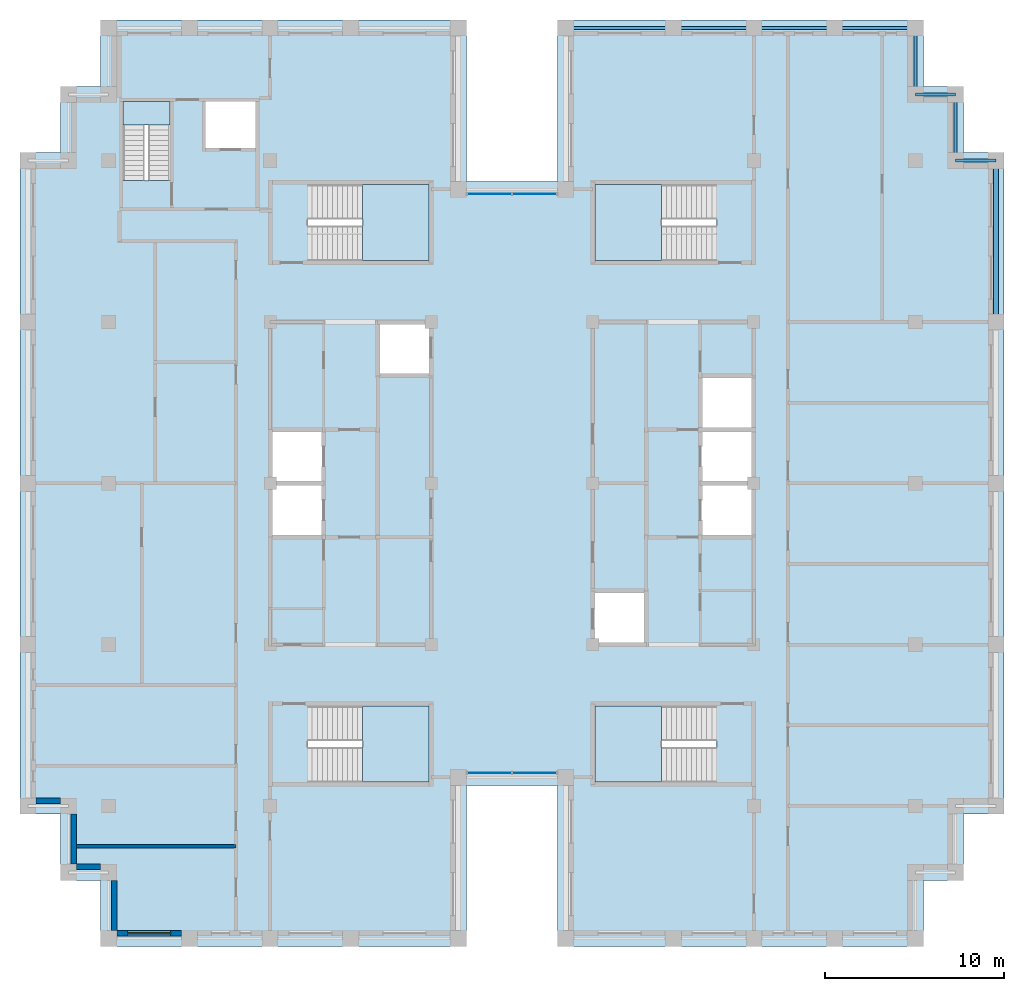
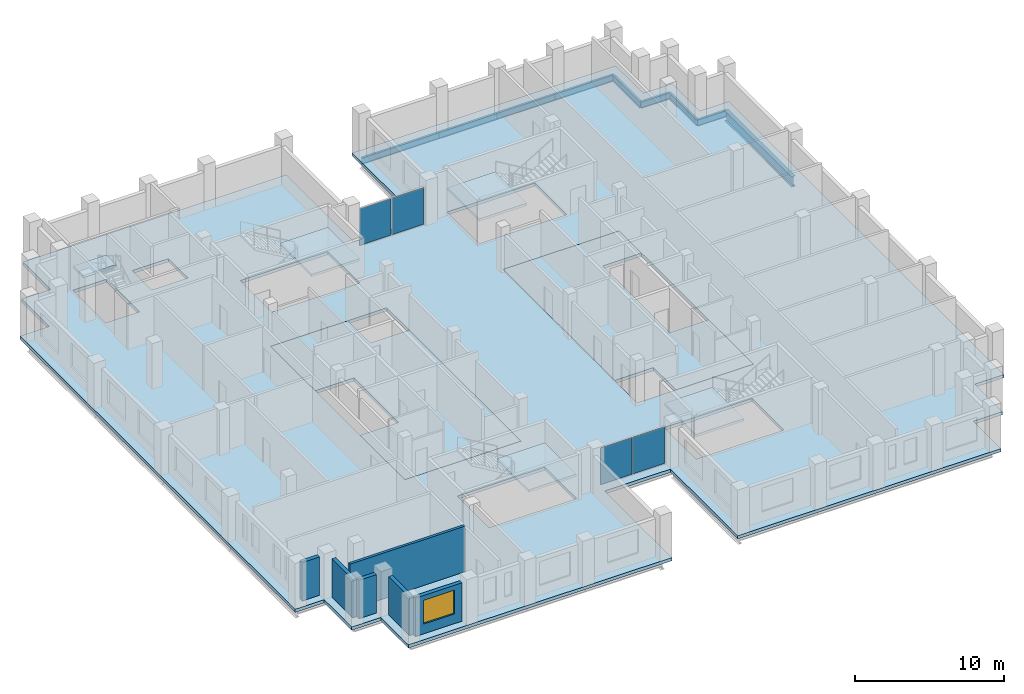
# One storey, part 5 of 13: 9 beams, 8 slabs, 6 walls, 4 plates, 1 window, 1 opening, 7 elements without a shape of their own.
"""IFC4 building model written with IfcOpenShell, lengths in metres."""

from ifc_helpers import new_model, si_unit, direction, frame, frame_2d, origin, origin_2d, place, context, subcontext, project, spatial, polyline, rectangle, i_section, outline, extrude, material, layer, layer_set, material_profile, profile_set, type_object, element, fill, aggregate, save


model = new_model("IFC4")

# Units and contexts
model_context = context("Model", 3, precision=1e-05, world=origin(), true_north=direction((0.0, 1.0)))
body_context = subcontext(model_context, "Body", "Model", "MODEL_VIEW")
ifc_project = project(units=[si_unit("LENGTHUNIT", "METRE"), si_unit("AREAUNIT", "SQUARE_METRE"), si_unit("VOLUMEUNIT", "CUBIC_METRE"), si_unit("PLANEANGLEUNIT", "RADIAN"), si_unit("MASSUNIT", "GRAM", prefix="KILO")], contexts=[model_context])

# Site, building, storey
site_placement = place(None, origin())
site = spatial("IfcSite", under=ifc_project, at=site_placement, CompositionType="ELEMENT")
building_placement = place(site_placement, origin())
building = spatial("IfcBuilding", under=site, at=building_placement, Name="Corbelhall Arena Tower", CompositionType="ELEMENT")
storey_placement = place(building_placement, frame((0.0, 0.0, 338.0)))
storey = spatial("IfcBuildingStorey", under=building, at=storey_placement, Name="L74", CompositionType="ELEMENT", Elevation=338.0)

# Beams
ifc_material_1 = material(Name="Steel ASTM A992 Gr50", Category="steel")
ifc_material_profile_1 = material_profile(ifc_material_1, i_section(OverallWidth=0.16650390625, OverallDepth=0.535888671875, WebThickness=0.01025390625, FlangeThickness=0.0166015625, at=origin_2d()))
ifc_profile_set_1 = profile_set([ifc_material_profile_1], Name="Steel ASTM A992 Gr50")
beam_type_1 = type_object("IfcBeamType", Name="ST-SPANDREL-W21x57", PredefinedType="SPANDREL", material=ifc_profile_set_1)
beam_1_placement = place(storey_placement, frame((3.0, 25.39990234375, -0.528076171875), z_axis=(1.0, 0.0, 0.0), x_axis=(0.0, 1.0, 0.0)))
element("IfcBeam", 1, at=beam_1_placement, inside=storey, type_object=beam_type_1, Name="Beam SP 6", PredefinedType="SPANDREL", context=body_context, shape_type="SweptSolid", body=[
    extrude(i_section(OverallWidth=0.16650390625, OverallDepth=0.535888671875, WebThickness=0.01025390625, FlangeThickness=0.0166015625, at=origin_2d()), origin(), (0.0, 0.0, 1.0), 6.0),
])
for number, where, z_axis, x_axis, name in (
    (2, (9.0, 25.39990234375, -0.528076171875), (1.0, 0.0, 0.0), (0.0, 1.0, 0.0), "Beam SP 7"),
    (3, (13.5, 25.39990234375, -0.528076171875), (1.0, 0.0, 0.0), (0.0, 1.0, 0.0), "Beam SP 8"),
    (4, (18.0, 25.39990234375, -0.528076171875), (1.0, 0.0, 0.0), (0.0, 1.0, 0.0), "Beam SP 9"),
):
    element("IfcBeam", number, at=place(storey_placement, frame(where, z_axis=z_axis, x_axis=x_axis)), inside=storey, type_object=beam_type_1, Name=name, PredefinedType="SPANDREL", context=body_context, shape_type="SweptSolid", body=[
        extrude(i_section(OverallWidth=0.16650390625, OverallDepth=0.535888671875, WebThickness=0.01025390625, FlangeThickness=0.0166015625, at=origin_2d()), origin(), (0.0, 0.0, 1.0), 4.5),
    ])
beam_2_placement = place(storey_placement, frame((22.5, 25.39990234375, -0.528076171875), z_axis=(0.0, -1.0, 0.0), x_axis=(1.0, 0.0, 0.0)))
element("IfcBeam", 5, at=beam_2_placement, inside=storey, type_object=beam_type_1, Name="Beam SP 10", PredefinedType="SPANDREL", context=body_context, shape_type="SweptSolid", body=[
    extrude(i_section(OverallWidth=0.16650390625, OverallDepth=0.535888671875, WebThickness=0.01025390625, FlangeThickness=0.0166015625, at=origin_2d()), origin(), (0.0, 0.0, 1.0), 3.699951171875),
])
beam_3_placement = place(storey_placement, frame((22.5, 21.699951171875, -0.528076171875), z_axis=(1.0, 0.0, 0.0), x_axis=(0.0, 1.0, 0.0)))
element("IfcBeam", 6, at=beam_3_placement, inside=storey, type_object=beam_type_1, Name="Beam SP 35", PredefinedType="SPANDREL", context=body_context, shape_type="SweptSolid", body=[
    extrude(i_section(OverallWidth=0.16650390625, OverallDepth=0.535888671875, WebThickness=0.01025390625, FlangeThickness=0.0166015625, at=origin_2d()), origin(), (0.0, 0.0, 1.0), 2.25),
])
beam_4_placement = place(storey_placement, frame((24.75, 21.699951171875, -0.528076171875), z_axis=(0.0, -1.0, 0.0), x_axis=(1.0, 0.0, 0.0)))
element("IfcBeam", 7, at=beam_4_placement, inside=storey, type_object=beam_type_1, Name="Beam SP 36", PredefinedType="SPANDREL", context=body_context, shape_type="SweptSolid", body=[
    extrude(i_section(OverallWidth=0.16650390625, OverallDepth=0.535888671875, WebThickness=0.01025390625, FlangeThickness=0.0166015625, at=origin_2d()), origin(), (0.0, 0.0, 1.0), 3.699951171875),
])
beam_5_placement = place(storey_placement, frame((24.75, 18.0, -0.528076171875), z_axis=(1.0, 0.0, 0.0), x_axis=(0.0, 1.0, 0.0)))
element("IfcBeam", 8, at=beam_5_placement, inside=storey, type_object=beam_type_1, Name="Beam SP 37", PredefinedType="SPANDREL", context=body_context, shape_type="SweptSolid", body=[
    extrude(i_section(OverallWidth=0.16650390625, OverallDepth=0.535888671875, WebThickness=0.01025390625, FlangeThickness=0.0166015625, at=origin_2d()), origin(), (0.0, 0.0, 1.0), 2.25),
])
ifc_material_profile_2 = material_profile(ifc_material_1, i_section(OverallWidth=0.2919921875, OverallDepth=0.845703125, WebThickness=0.015380859375, FlangeThickness=0.0244140625, at=origin_2d()))
ifc_profile_set_2 = profile_set([ifc_material_profile_2], Name="Steel ASTM A992 Gr50")
beam_type_2 = type_object("IfcBeamType", Name="ST-SPANDREL-W33x141", PredefinedType="SPANDREL", material=ifc_profile_set_2)
beam_6_placement = place(storey_placement, frame((27.0, 18.0, -0.682861328125), z_axis=(0.0, -1.0, 0.0), x_axis=(1.0, 0.0, 0.0)))
element("IfcBeam", 9, at=beam_6_placement, inside=storey, type_object=beam_type_2, Name="Beam SP 3", PredefinedType="SPANDREL", context=body_context, shape_type="SweptSolid", body=[
    extrude(i_section(OverallWidth=0.2919921875, OverallDepth=0.845703125, WebThickness=0.015380859375, FlangeThickness=0.0244140625, at=origin_2d()), origin(), (0.0, 0.0, 1.0), 9.0),
])

# Curtain wall, plates
ifc_material_2 = material(Name="Aluminium black anodised", Category="aluminium")
ifc_layer_1 = layer(ifc_material_2, 0.199951171875)
ifc_layer_set_1 = layer_set([ifc_layer_1], Name="EV-CW1 Slot back wall")
curtain_wall_type = type_object("IfcCurtainWallType", Name="EV-CW1 Slot back wall", PredefinedType="NOTDEFINED", material=ifc_layer_set_1)
curtain_wall_1_placement = place(storey_placement, origin())
curtain_wall_1 = element("IfcCurtainWall", 10, at=curtain_wall_1_placement, inside=storey, type_object=curtain_wall_type, Name="Curtain wall CW1", PredefinedType="NOTDEFINED")
ifc_material_3 = material(Name="Glass dark tinted laminated", Category="glass")
ifc_layer_2 = layer(ifc_material_3, 0.028076171875)
ifc_layer_set_2 = layer_set([ifc_layer_2], Name="EV-CW1-PANEL")
plate_type = type_object("IfcPlateType", Name="EV-CW1-PANEL", PredefinedType="CURTAIN_PANEL", material=ifc_layer_set_2)
plate_1_placement = place(storey_placement, frame((-1.25634765625, -16.14990234375, 0.0751953125), z_axis=(0.0, 0.0, 1.0), x_axis=(1.0, 0.0, 0.0)))
plate_1 = element("IfcPlate", 11, at=plate_1_placement, type_object=plate_type, Name="CW1 panel 1.1", PredefinedType="CURTAIN_PANEL", context=body_context, shape_type="SweptSolid", body=[
    extrude(rectangle(XDim=2.4375, YDim=0.028076171875, at=origin_2d()), origin(), (0.0, 0.0, 1.0), 2.989990234375),
])
plate_2_placement = place(storey_placement, frame((1.25634765625, -16.14990234375, 0.0751953125), z_axis=(0.0, 0.0, 1.0), x_axis=(1.0, 0.0, 0.0)))
plate_2 = element("IfcPlate", 12, at=plate_2_placement, type_object=plate_type, Name="CW1 panel 2.1", PredefinedType="CURTAIN_PANEL", context=body_context, shape_type="SweptSolid", body=[
    extrude(rectangle(XDim=2.4375, YDim=0.028076171875, at=origin_2d()), origin(), (0.0, 0.0, 1.0), 2.989990234375),
])
aggregate(curtain_wall_1, [plate_1, plate_2])

curtain_wall_2_placement = place(storey_placement, origin())
curtain_wall_2 = element("IfcCurtainWall", 13, at=curtain_wall_2_placement, inside=storey, type_object=curtain_wall_type, Name="Curtain wall CW1", PredefinedType="NOTDEFINED")
plate_3_placement = place(storey_placement, frame((1.25634765625, 16.14990234375, 0.0751953125), z_axis=(0.0, 0.0, 1.0), x_axis=(-1.0, 0.0, 0.0)))
plate_3 = element("IfcPlate", 14, at=plate_3_placement, type_object=plate_type, Name="CW1 panel 1.1", PredefinedType="CURTAIN_PANEL", context=body_context, shape_type="SweptSolid", body=[
    extrude(rectangle(XDim=2.4375, YDim=0.028076171875, at=origin_2d()), origin(), (0.0, 0.0, 1.0), 2.989990234375),
])
plate_4_placement = place(storey_placement, frame((-1.25634765625, 16.14990234375, 0.0751953125), z_axis=(0.0, 0.0, 1.0), x_axis=(-1.0, 0.0, 0.0)))
plate_4 = element("IfcPlate", 15, at=plate_4_placement, type_object=plate_type, Name="CW1 panel 2.1", PredefinedType="CURTAIN_PANEL", context=body_context, shape_type="SweptSolid", body=[
    extrude(rectangle(XDim=2.4375, YDim=0.028076171875, at=origin_2d()), origin(), (0.0, 0.0, 1.0), 2.989990234375),
])
aggregate(curtain_wall_2, [plate_3, plate_4])

# Slabs
ifc_material_4 = material(Name="Concrete C40/50", Category="concrete")
ifc_layer_3 = layer(ifc_material_4, 0.300048828125)
ifc_layer_set_3 = layer_set([ifc_layer_3], Name="IN-SL-CORE")
slab_type_1 = type_object("IfcSlabType", Name="IN-SL-CORE", PredefinedType="FLOOR", material=ifc_layer_set_3)
slab_1_placement = place(storey_placement, frame((0.0, 0.0, -0.260009765625)))
element("IfcSlab", 16, at=slab_1_placement, inside=storey, type_object=slab_type_1, Name="Core floor W", PredefinedType="FLOOR", context=body_context, shape_type="SweptSolid", body=[
    extrude(outline(polyline([(-13.5, -3.0), (-13.5, -9.0), (-4.5, -9.0), (-4.5, 6.0), (-7.5, 6.0), (-7.5, 9.0), (-13.5, 9.0), (-13.5, 3.0), (-10.5, 3.0), (-10.5, 0.0), (-10.5, -3.0), (-13.5, -3.0)])), origin(), (0.0, 0.0, 1.0), 0.260009765625),
])
slab_2_placement = place(storey_placement, frame((0.0, 0.0, -0.260009765625)))
element("IfcSlab", 17, at=slab_2_placement, inside=storey, type_object=slab_type_1, Name="Core floor E", PredefinedType="FLOOR", context=body_context, shape_type="SweptSolid", body=[
    extrude(outline(polyline([(10.5, 0.0), (10.5, 3.0), (10.5, 6.0), (13.5, 6.0), (13.5, 9.0), (4.5, 9.0), (4.5, -6.0), (7.5, -6.0), (7.5, -9.0), (13.5, -9.0), (13.5, -3.0), (10.5, -3.0), (10.5, 0.0)])), origin(), (0.0, 0.0, 1.0), 0.260009765625),
])

# Stair, slab
stair_type = type_object("IfcStairType", Name="IN-ST-TOWER", PredefinedType="HALF_TURN_STAIR", material=ifc_material_4)
stair_1_placement = place(storey_placement, origin())
stair_1 = element("IfcStair", 18, at=stair_1_placement, inside=storey, type_object=stair_type, Name="L74 Exit stair ST1", PredefinedType="HALF_TURN_STAIR")
ifc_layer_4 = layer(ifc_material_4, 0.199951171875)
ifc_layer_set_4 = layer_set([ifc_layer_4], Name="IN-SL-LANDING")
slab_type_2 = type_object("IfcSlabType", Name="IN-SL-LANDING", PredefinedType="LANDING", material=ifc_layer_set_4)
slab_3_placement = place(storey_placement, frame((0.0, 0.0, 1.800048828125)))
slab_3 = element("IfcSlab", 19, at=slab_3_placement, type_object=slab_type_2, Name="ST1 landing 1", PredefinedType="LANDING", context=body_context, shape_type="SweptSolid", body=[
    extrude(outline(polyline([(-8.344970703125, 12.425048828125), (-4.625, 12.425048828125), (-4.625, 16.675048828125), (-8.344970703125, 16.675048828125), (-8.344970703125, 12.425048828125)])), origin(), (0.0, 0.0, 1.0), 0.199951171875),
])
aggregate(stair_1, [slab_3])

stair_2_placement = place(storey_placement, origin())
stair_2 = element("IfcStair", 20, at=stair_2_placement, inside=storey, type_object=stair_type, Name="L74 Exit stair ST2", PredefinedType="HALF_TURN_STAIR")
slab_4_placement = place(storey_placement, frame((0.0, 0.0, 1.800048828125)))
slab_4 = element("IfcSlab", 21, at=slab_4_placement, type_object=slab_type_2, Name="ST2 landing 1", PredefinedType="LANDING", context=body_context, shape_type="SweptSolid", body=[
    extrude(outline(polyline([(-8.344970703125, -16.675048828125), (-4.625, -16.675048828125), (-4.625, -12.425048828125), (-8.344970703125, -12.425048828125), (-8.344970703125, -16.675048828125)])), origin(), (0.0, 0.0, 1.0), 0.199951171875),
])
aggregate(stair_2, [slab_4])

stair_3_placement = place(storey_placement, origin())
stair_3 = element("IfcStair", 22, at=stair_3_placement, inside=storey, type_object=stair_type, Name="L74 Exit stair ST3", PredefinedType="HALF_TURN_STAIR")
slab_5_placement = place(storey_placement, frame((0.0, 0.0, 1.800048828125)))
slab_5 = element("IfcSlab", 23, at=slab_5_placement, type_object=slab_type_2, Name="ST3 landing 1", PredefinedType="LANDING", context=body_context, shape_type="SweptSolid", body=[
    extrude(outline(polyline([(8.344970703125, 16.675048828125), (4.625, 16.675048828125), (4.625, 12.425048828125), (8.344970703125, 12.425048828125), (8.344970703125, 16.675048828125)])), origin(), (0.0, 0.0, 1.0), 0.199951171875),
])
aggregate(stair_3, [slab_5])

stair_4_placement = place(storey_placement, origin())
stair_4 = element("IfcStair", 24, at=stair_4_placement, inside=storey, type_object=stair_type, Name="L74 Exit stair ST4", PredefinedType="HALF_TURN_STAIR")
slab_6_placement = place(storey_placement, frame((0.0, 0.0, 1.800048828125)))
slab_6 = element("IfcSlab", 25, at=slab_6_placement, type_object=slab_type_2, Name="ST4 landing 1", PredefinedType="LANDING", context=body_context, shape_type="SweptSolid", body=[
    extrude(outline(polyline([(8.344970703125, -12.425048828125), (4.625, -12.425048828125), (4.625, -16.675048828125), (8.344970703125, -16.675048828125), (8.344970703125, -12.425048828125)])), origin(), (0.0, 0.0, 1.0), 0.199951171875),
])
aggregate(stair_4, [slab_6])

stair_5_placement = place(storey_placement, origin())
stair_5 = element("IfcStair", 26, at=stair_5_placement, inside=storey, type_object=stair_type, Name="L74 Exit stair ST5", PredefinedType="HALF_TURN_STAIR")
slab_7_placement = place(storey_placement, frame((0.0, 0.0, 1.800048828125)))
slab_7 = element("IfcSlab", 27, at=slab_7_placement, type_object=slab_type_2, Name="ST5 landing 1", PredefinedType="LANDING", context=body_context, shape_type="SweptSolid", body=[
    extrude(outline(polyline([(-19.094970703125, 19.97998046875), (-19.094970703125, 21.300048828125), (-21.695068359375, 21.300048828125), (-21.695068359375, 19.97998046875), (-19.094970703125, 19.97998046875)])), origin(), (0.0, 0.0, 1.0), 0.199951171875),
])
aggregate(stair_5, [slab_7])

# Slab
ifc_layer_5 = layer(ifc_material_4, 0.260009765625)
ifc_layer_set_5 = layer_set([ifc_layer_5], Name="ST-SLAB-FLOOR-260")
slab_type_3 = type_object("IfcSlabType", Name="ST-SLAB-FLOOR-260", PredefinedType="FLOOR", material=ifc_layer_set_5)
slab_8_placement = place(storey_placement, frame((0.0, 0.0, -0.260009765625)))
element("IfcSlab", 28, at=slab_8_placement, inside=storey, type_object=slab_type_3, Name="Floor slab L74 1", PredefinedType="FLOOR", context=body_context, shape_type="SweptSolid", body=[
    extrude(outline(polyline([(22.949951171875, 25.85009765625), (2.550048828125, 25.85009765625), (2.550048828125, 16.85009765625), (-2.550048828125, 16.85009765625), (-2.550048828125, 25.85009765625), (-22.949951171875, 25.85009765625), (-22.949951171875, 22.14990234375), (-25.199951171875, 22.14990234375), (-25.199951171875, 18.449951171875), (-27.449951171875, 18.449951171875), (-27.449951171875, -18.449951171875), (-25.199951171875, -18.449951171875), (-25.199951171875, -22.14990234375), (-22.949951171875, -22.14990234375), (-22.949951171875, -25.85009765625), (-2.550048828125, -25.85009765625), (-2.550048828125, -16.85009765625), (2.550048828125, -16.85009765625), (2.550048828125, -25.85009765625), (22.949951171875, -25.85009765625), (22.949951171875, -22.14990234375), (25.199951171875, -22.14990234375), (25.199951171875, -18.449951171875), (27.449951171875, -18.449951171875), (27.449951171875, 18.449951171875), (25.199951171875, 18.449951171875), (25.199951171875, 22.14990234375), (22.949951171875, 22.14990234375), (22.949951171875, 25.85009765625)]), holes=[polyline([(-13.5, 9.0), (-13.5, -9.0), (-4.5, -9.0), (-4.5, 9.0), (-13.5, 9.0)]), polyline([(4.5, 9.0), (4.5, -9.0), (13.5, -9.0), (13.5, 9.0), (4.5, 9.0)]), polyline([(-4.625, 16.675048828125), (-11.422119140625, 16.675048828125), (-11.422119140625, 12.425048828125), (-4.625, 12.425048828125), (-4.625, 16.675048828125)]), polyline([(-4.625, -16.675048828125), (-4.625, -12.425048828125), (-11.422119140625, -12.425048828125), (-11.422119140625, -16.675048828125), (-4.625, -16.675048828125)]), polyline([(11.422119140625, 16.675048828125), (4.625, 16.675048828125), (4.625, 12.425048828125), (11.422119140625, 12.425048828125), (11.422119140625, 16.675048828125)]), polyline([(11.422119140625, -16.675048828125), (11.422119140625, -12.425048828125), (4.625, -12.425048828125), (4.625, -16.675048828125), (11.422119140625, -16.675048828125)]), polyline([(-21.695068359375, 21.300048828125), (-21.695068359375, 16.903076171875), (-19.094970703125, 16.903076171875), (-19.094970703125, 21.300048828125), (-21.695068359375, 21.300048828125)]), polyline([(-14.300048828125, 21.300048828125), (-17.10009765625, 21.300048828125), (-17.10009765625, 18.699951171875), (-14.300048828125, 18.699951171875), (-14.300048828125, 21.300048828125)])]), origin(), (0.0, 0.0, 1.0), 0.260009765625),
])

# Walls
ifc_material_5 = material(Name="Precast concrete C40/50 with granite facing", Category="masonry")
ifc_layer_6 = layer(ifc_material_5, 0.300048828125)
ifc_layer_set_6 = layer_set([ifc_layer_6], Name="EV-IW1 Infill panel 300")
wall_type_1 = type_object("IfcWallType", Name="EV-IW1 Infill panel 300", PredefinedType="SOLIDWALL", material=ifc_layer_set_6)
wall_1_placement = place(storey_placement, frame((-26.550048828125, -17.699951171875, 0.0), z_axis=(0.0, 0.0, 1.0), x_axis=(1.0, 0.0, 0.0)))
element("IfcWall", 29, at=wall_1_placement, inside=storey, type_object=wall_type_1, Name="Infill panel IW1", PredefinedType="SOLIDWALL", context=body_context, shape_type="SweptSolid", body=[
    extrude(rectangle(XDim=1.35009765625, YDim=0.300048828125, at=frame_2d((0.675048828125, 0.0))), origin(), (0.0, 0.0, 1.0), 3.139892578125),
])
wall_2_placement = place(storey_placement, frame((-24.449951171875, -18.449951171875, 0.0), z_axis=(0.0, 0.0, 1.0), x_axis=(0.0, -1.0, 0.0)))
element("IfcWall", 30, at=wall_2_placement, inside=storey, type_object=wall_type_1, Name="Infill panel IW1", PredefinedType="SOLIDWALL", context=body_context, shape_type="SweptSolid", body=[
    extrude(rectangle(XDim=2.800048828125, YDim=0.300048828125, at=frame_2d((1.39990234375, 0.0))), origin(), (0.0, 0.0, 1.0), 3.139892578125),
])
wall_3_placement = place(storey_placement, frame((-24.300048828125, -21.39990234375, 0.0), z_axis=(0.0, 0.0, 1.0), x_axis=(1.0, 0.0, 0.0)))
element("IfcWall", 31, at=wall_3_placement, inside=storey, type_object=wall_type_1, Name="Infill panel IW1", PredefinedType="SOLIDWALL", context=body_context, shape_type="SweptSolid", body=[
    extrude(rectangle(XDim=1.35009765625, YDim=0.300048828125, at=frame_2d((0.675048828125, 0.0))), origin(), (0.0, 0.0, 1.0), 3.139892578125),
])
wall_4_placement = place(storey_placement, frame((-22.199951171875, -22.14990234375, 0.0), z_axis=(0.0, 0.0, 1.0), x_axis=(0.0, -1.0, 0.0)))
element("IfcWall", 32, at=wall_4_placement, inside=storey, type_object=wall_type_1, Name="Infill panel IW1", PredefinedType="SOLIDWALL", context=body_context, shape_type="SweptSolid", body=[
    extrude(rectangle(XDim=2.800048828125, YDim=0.300048828125, at=frame_2d((1.39990234375, 0.0))), origin(), (0.0, 0.0, 1.0), 3.139892578125),
])

# Wall, opening, window
wall_5_placement = place(storey_placement, frame((-22.050048828125, -25.10009765625, 0.0), z_axis=(0.0, 0.0, 1.0), x_axis=(1.0, 0.0, 0.0)))
wall_5 = element("IfcWall", 33, at=wall_5_placement, inside=storey, type_object=wall_type_1, Name="Infill panel IW1", PredefinedType="SOLIDWALL", context=body_context, shape_type="SweptSolid", body=[
    extrude(rectangle(XDim=3.60009765625, YDim=0.300048828125, at=frame_2d((1.800048828125, 0.0))), origin(), (0.0, 0.0, 1.0), 3.139892578125),
])
opening_placement = place(wall_5_placement, frame((0.60009765625, 0.0, 0.800048828125)))
opening = element("IfcOpeningElement", 34, at=opening_placement, cuts=wall_5, Name="Opening WN1", PredefinedType="OPENING", context=body_context, shape_type="SweptSolid", body=[
    extrude(rectangle(XDim=2.39990234375, YDim=1.949951171875, at=frame_2d((1.199951171875, 0.97509765625))), frame((0.0, 0.14990234375, 0.0), z_axis=(0.0, -1.0, 0.0), x_axis=(1.0, 0.0, 0.0)), (0.0, 0.0, 1.0), 0.300048828125),
])
window_type = type_object("IfcWindowType", Name="EV-WN1 Office window", PartitioningType="SINGLE_PANEL", PredefinedType="WINDOW", material=ifc_material_2)
window_placement = place(opening_placement, origin())
window = element("IfcWindow", 35, at=window_placement, inside=storey, type_object=window_type, Name="Window WN1", OverallHeight=1.949951171875, OverallWidth=2.39990234375, PartitioningType="SINGLE_PANEL", PredefinedType="WINDOW", context=body_context, shape_type="SweptSolid", body=[
    extrude(rectangle(XDim=2.39990234375, YDim=1.949951171875, at=frame_2d((1.199951171875, 0.97509765625))), frame((0.0, 0.030029296875, 0.0), z_axis=(0.0, -1.0, 0.0), x_axis=(1.0, 0.0, 0.0)), (0.0, 0.0, 1.0), 0.06005859375),
])
fill(opening, window)

# Wall
ifc_material_6 = material(Name="Gypsum board on steel stud, acoustic", Category="steel")
ifc_layer_7 = layer(ifc_material_6, 0.199951171875)
ifc_layer_set_7 = layer_set([ifc_layer_7], Name="IN-W-DM200")
wall_type_2 = type_object("IfcWallType", Name="IN-W-DM200", PredefinedType="PARTITIONING", material=ifc_layer_set_7)
wall_6_placement = place(storey_placement, frame((-24.300048828125, -20.25, 0.0), z_axis=(0.0, 0.0, 1.0), x_axis=(1.0, 0.0, 0.0)))
element("IfcWall", 36, at=wall_6_placement, inside=storey, type_object=wall_type_2, Name="Partition 003", PredefinedType="PARTITIONING", context=body_context, shape_type="SweptSolid", body=[
    extrude(rectangle(XDim=8.900146484375, YDim=0.199951171875, at=frame_2d((4.4501953125, 0.0))), origin(), (0.0, 0.0, 1.0), 3.739990234375),
])

save(model, "model.ifc")
